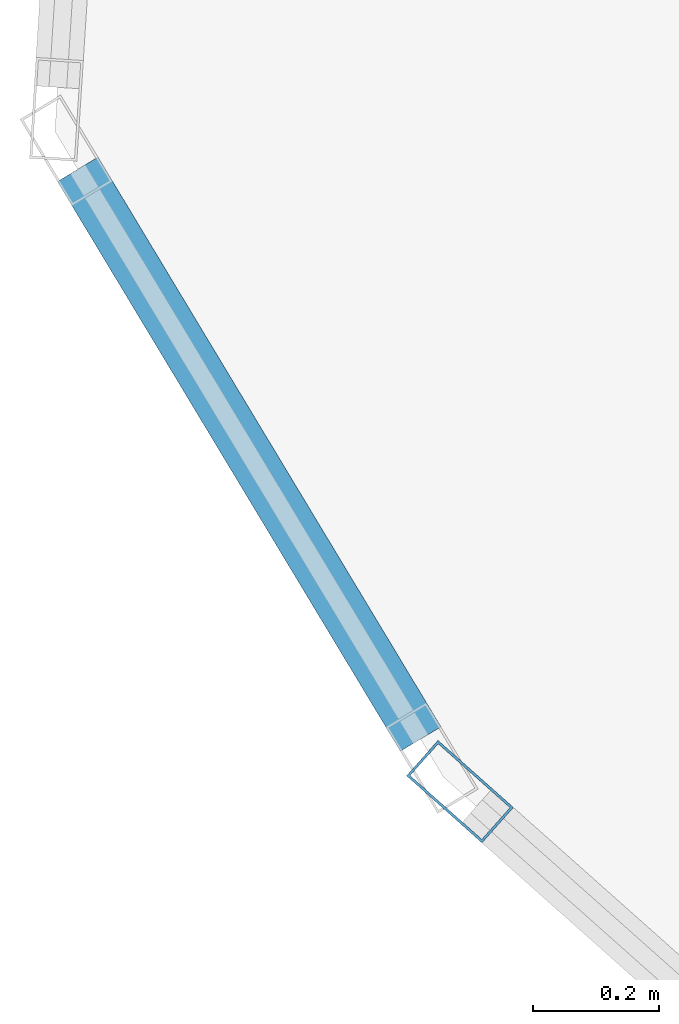
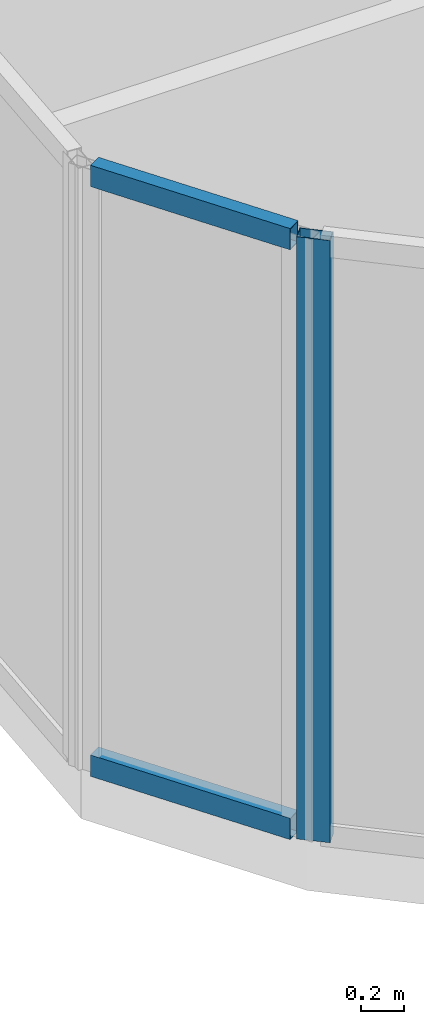
# One storey, part 4 of 27: 3 members, 2 elements without a shape of their own.
"""IFC4 building model written with IfcOpenShell, lengths in metres."""

from ifc_helpers import new_model, si_unit, direction, frame, origin, origin_2d, place, context, subcontext, project, spatial, hollow_rectangle, extrude, material, layer, layer_set, material_profile, profile_set, type_object, element, aggregate, save


model = new_model("IFC4")

# Units and contexts
model_context = context("Model", 3, precision=1e-05, world=origin(), true_north=direction((0.0, 1.0)))
body_context = subcontext(model_context, "Body", "Model", "MODEL_VIEW")
ifc_project = project(units=[si_unit("LENGTHUNIT", "METRE"), si_unit("AREAUNIT", "SQUARE_METRE"), si_unit("VOLUMEUNIT", "CUBIC_METRE"), si_unit("PLANEANGLEUNIT", "RADIAN"), si_unit("MASSUNIT", "GRAM", prefix="KILO")], contexts=[model_context])

# Site, building, storey
site_placement = place(None, origin())
site = spatial("IfcSite", under=ifc_project, at=site_placement, CompositionType="ELEMENT")
building_placement = place(site_placement, origin())
building = spatial("IfcBuilding", under=site, at=building_placement, Name="Keshet Zoharim Tower", CompositionType="ELEMENT")
storey_placement = place(building_placement, frame((0.0, 0.0, 254.699951171875)))
storey = spatial("IfcBuildingStorey", under=building, at=storey_placement, Name="L63", CompositionType="ELEMENT", Elevation=254.699951171875)

# Curtain wall, member
ifc_material = material(Name="Aluminium 6063-T6", Category="aluminium")
ifc_layer = layer(ifc_material, 0.260009765625)
ifc_layer_set = layer_set([ifc_layer], Name="Aluminium 6063-T6")
curtain_wall_type = type_object("IfcCurtainWallType", Name="CW-SYS-06", PredefinedType="NOTDEFINED", material=ifc_layer_set)
curtain_wall_1_placement = place(storey_placement, origin())
curtain_wall_1 = element("IfcCurtainWall", 1, at=curtain_wall_1_placement, inside=storey, type_object=curtain_wall_type, Name="L63 Unitised Curtain Wall 16 Part 3", PredefinedType="NOTDEFINED")
ifc_material_profile_1 = material_profile(ifc_material, hollow_rectangle(XDim=0.074951171875, YDim=0.159912109375, WallThickness=0.00390625, at=origin_2d()), Name="MUL-75x160")
ifc_profile_set_1 = profile_set([ifc_material_profile_1], Name="Aluminium 6063-T6")
member_type_1 = type_object("IfcMemberType", Name="CWM-M15", PredefinedType="MULLION", material=ifc_profile_set_1)
member_1_placement = place(storey_placement, frame((4.061279296875, 21.7568359375, 0.0), z_axis=(0.0, 0.0, 1.0), x_axis=(-0.664363838836, -0.747409318679, 0.0)))
member_1 = element("IfcMember", 2, at=member_1_placement, type_object=member_type_1, Name="CW-06 mullion 2", PredefinedType="MULLION", context=body_context, shape_type="SweptSolid", body=[
    extrude(hollow_rectangle(XDim=0.074951171875, YDim=0.159912109375, WallThickness=0.00390625, at=origin_2d()), origin(), (0.0, 0.0, 1.0), 3.39013671875),
])
aggregate(curtain_wall_1, [member_1])

# Curtain wall, members
curtain_wall_2_placement = place(storey_placement, origin())
curtain_wall_2 = element("IfcCurtainWall", 3, at=curtain_wall_2_placement, inside=storey, type_object=curtain_wall_type, Name="L63 Unitised Curtain Wall 01", PredefinedType="NOTDEFINED")
ifc_material_profile_2 = material_profile(ifc_material, hollow_rectangle(XDim=0.074951171875, YDim=0.1201171875, WallThickness=0.00390625, at=origin_2d()), Name="TRN-75x120")
ifc_profile_set_2 = profile_set([ifc_material_profile_2], Name="Aluminium 6063-T6")
member_type_2 = type_object("IfcMemberType", Name="CWT-T12", PredefinedType="USERDEFINED", material=ifc_profile_set_2)
member_2_placement = place(storey_placement, frame((3.9990234375, 21.840087890625, 0.03515625), z_axis=(-0.515791194107, 0.856714330499, 0.0), x_axis=(-0.856714330499, -0.515791194107, 0.0)))
member_2 = element("IfcMember", 4, at=member_2_placement, type_object=member_type_2, Name="CW-06 transom 1.1", ObjectType="TRANSOM", PredefinedType="USERDEFINED", context=body_context, shape_type="SweptSolid", body=[
    extrude(hollow_rectangle(XDim=0.074951171875, YDim=0.1201171875, WallThickness=0.00390625, at=origin_2d()), origin(), (0.0, 0.0, 1.0), 1.052734375),
])
member_3_placement = place(storey_placement, frame((3.9990234375, 21.840087890625, 3.35498046875), z_axis=(-0.515791194107, 0.856714330499, 0.0), x_axis=(-0.856714330499, -0.515791194107, 0.0)))
member_3 = element("IfcMember", 5, at=member_3_placement, type_object=member_type_2, Name="CW-06 transom 1.2", ObjectType="TRANSOM", PredefinedType="USERDEFINED", context=body_context, shape_type="SweptSolid", body=[
    extrude(hollow_rectangle(XDim=0.074951171875, YDim=0.1201171875, WallThickness=0.00390625, at=origin_2d()), origin(), (0.0, 0.0, 1.0), 1.052734375),
])
aggregate(curtain_wall_2, [member_2, member_3])

save(model, "model.ifc")
